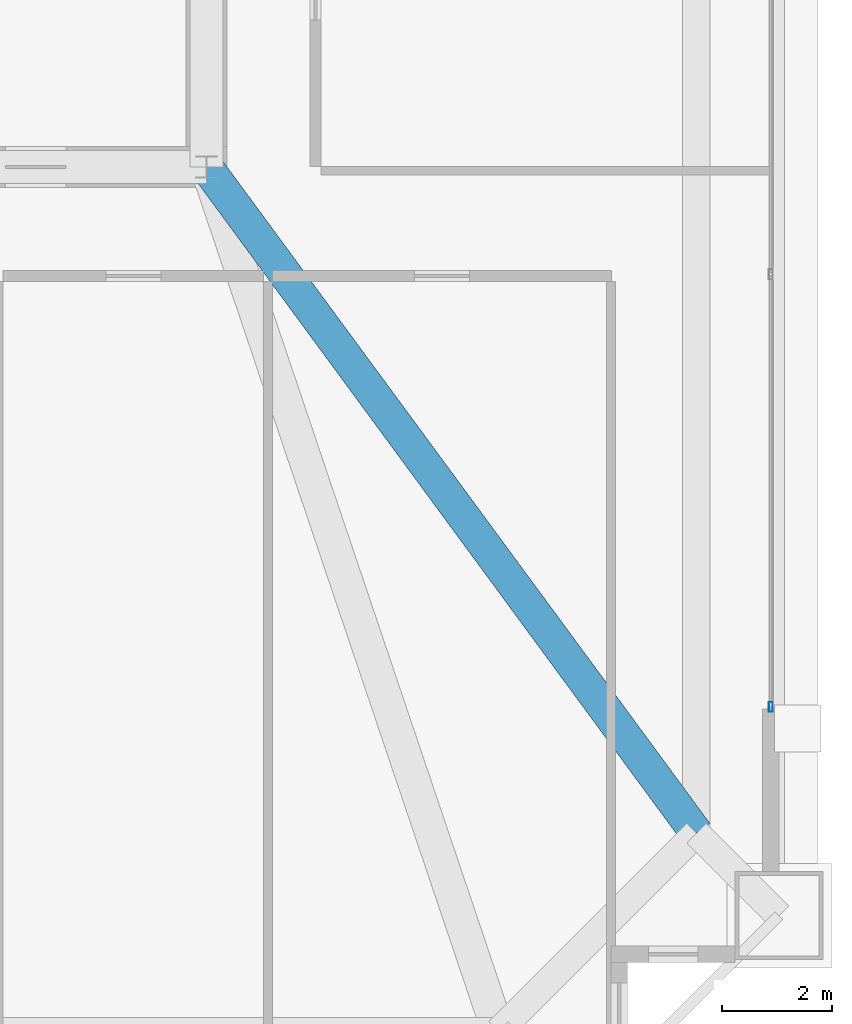
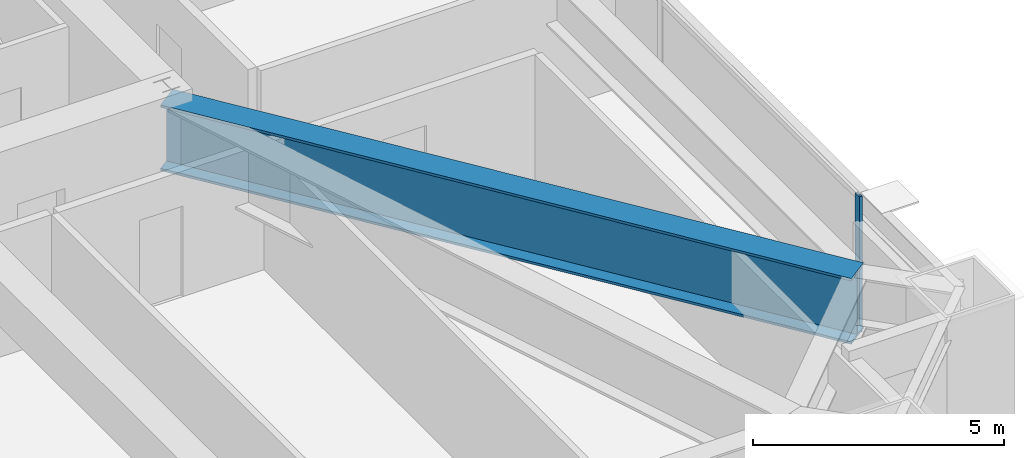
# One storey, part 20 of 45: 2 members, 1 beam, 1 element without a shape of its own.
"""IFC4 building model written with IfcOpenShell, lengths in metres."""

from ifc_helpers import new_model, si_unit, direction, frame, origin, origin_2d, place, context, subcontext, project, spatial, hollow_rectangle, i_section, extrude, source, transform, mapped, material, layer, layer_set, material_profile, profile_set, type_object, element, aggregate, save


model = new_model("IFC4")

# Units and contexts
model_context = context("Model", 3, precision=1e-05, world=origin(), true_north=direction((0.0, 1.0)))
body_context = subcontext(model_context, "Body", "Model", "MODEL_VIEW")
ifc_project = project(units=[si_unit("LENGTHUNIT", "METRE"), si_unit("AREAUNIT", "SQUARE_METRE"), si_unit("VOLUMEUNIT", "CUBIC_METRE"), si_unit("PLANEANGLEUNIT", "RADIAN"), si_unit("MASSUNIT", "GRAM", prefix="KILO"), si_unit("THERMODYNAMICTEMPERATUREUNIT", "KELVIN"), si_unit("POWERUNIT", "WATT")], contexts=[model_context])

# Site, building, storey
site_placement = place(None, origin())
site = spatial("IfcSite", under=ifc_project, at=site_placement, CompositionType="ELEMENT")
building_placement = place(site_placement, origin())
building = spatial("IfcBuilding", under=site, at=building_placement, Name="Yuzanri Waterfront Tower", CompositionType="ELEMENT")
storey_placement = place(building_placement, frame((0.0, 0.0, 163.199951171875)))
storey = spatial("IfcBuildingStorey", under=building, at=storey_placement, Name="L43", CompositionType="ELEMENT", Elevation=163.199951171875)

# Beam
ifc_material_1 = material(Name="Steel Q420GJC", Category="steel")
ifc_material_profile_1 = material_profile(ifc_material_1, i_section(OverallWidth=0.60009765625, OverallDepth=1.60009765625, WebThickness=0.031982421875, FlangeThickness=0.06005859375, at=origin_2d()), Name="PG 1600x600x32x60")
ifc_profile_set_1 = profile_set([ifc_material_profile_1], Name="Steel Q420GJC")
beam_type = type_object("IfcBeamType", Name="Ballroom Transfer Girder Q420GJC PG 1600x600", PredefinedType="USERDEFINED", material=ifc_profile_set_1)
shared_shape_1 = source(origin(), body_context, "Body", "SweptSolid", [
    extrude(i_section(OverallWidth=0.60009765625, OverallDepth=1.60009765625, WebThickness=0.031982421875, FlangeThickness=0.06005859375, at=origin_2d()), origin(), (0.0, 0.0, 1.0), 15.0205078125),
])
beam_placement = place(storey_placement, frame((50.199951171875, 19.39990234375, 2.5), z_axis=(0.592528520628, -0.80554947225, 0.0), x_axis=(0.80554947225, 0.592528520628, 0.0)))
element("IfcBeam", 1, at=beam_placement, inside=storey, type_object=beam_type, Name="L43 Setback Inner Transfer E1", ObjectType="GIRDER", PredefinedType="USERDEFINED", context=body_context, shape_type="MappedRepresentation", body=[
    mapped(shared_shape_1, transform((0.0, 0.0, 0.0), scale=1.0)),
])

# Curtain wall, members
ifc_material_2 = material(Name="Anodized Architectural Bronze", Category="metal")
ifc_layer = layer(ifc_material_2, 0.159912109375)
ifc_layer_set = layer_set([ifc_layer], Name="Anodized Architectural Bronze")
curtain_wall_type = type_object("IfcCurtainWallType", Name="Anodized Bronze Hotel Upper-Tier Solar-Control Unitized Curtain Wall 7800", PredefinedType="NOTDEFINED", material=ifc_layer_set)
curtain_wall_placement = place(storey_placement, origin())
curtain_wall = element("IfcCurtainWall", 2, at=curtain_wall_placement, inside=storey, type_object=curtain_wall_type, Name="L43 Curtain Wall CW-L43-EL", PredefinedType="NOTDEFINED")
ifc_material_3 = material(Name="Anodized Architectural Bronze", Category="metal")
ifc_material_profile_2 = material_profile(ifc_material_3, hollow_rectangle(XDim=0.070068359375, YDim=0.179931640625, WallThickness=0.00390625, at=origin_2d()), Name="CWM 70x180")
ifc_profile_set_2 = profile_set([ifc_material_profile_2], Name="Anodized Architectural Bronze")
member_type = type_object("IfcMemberType", Name="Anodized Bronze Standard Curtain-Wall Mullion 70x180", PredefinedType="MULLION", material=ifc_profile_set_2)
shared_shape_2 = source(origin(), body_context, "Body", "SweptSolid", [
    extrude(hollow_rectangle(XDim=0.070068359375, YDim=0.179931640625, WallThickness=0.00390625, at=origin_2d()), origin(), (0.0, 0.0, 1.0), 1.64794921875),
])
member_1_placement = place(storey_placement, frame((60.449951171875, 9.590087890625, 0.0), z_axis=(0.0, 0.0, 1.0), x_axis=(1.0, 0.0, 0.0)))
member_1 = element("IfcMember", 3, at=member_1_placement, type_object=member_type, Name="CW-L43-EL Lower Mullion 00", PredefinedType="MULLION", context=body_context, shape_type="MappedRepresentation", body=[
    mapped(shared_shape_2, transform((0.0, 0.0, 0.0), scale=1.0)),
])
member_2_placement = place(storey_placement, frame((60.449951171875, 9.590087890625, 1.652099609375), z_axis=(0.0, 0.0, 1.0), x_axis=(1.0, 0.0, 0.0)))
member_2 = element("IfcMember", 4, at=member_2_placement, type_object=member_type, Name="CW-L43-EL Upper Mullion 00", PredefinedType="MULLION", context=body_context, shape_type="MappedRepresentation", body=[
    mapped(shared_shape_2, transform((0.0, 0.0, 0.0), scale=1.0)),
])
aggregate(curtain_wall, [member_1, member_2])

save(model, "model.ifc")
